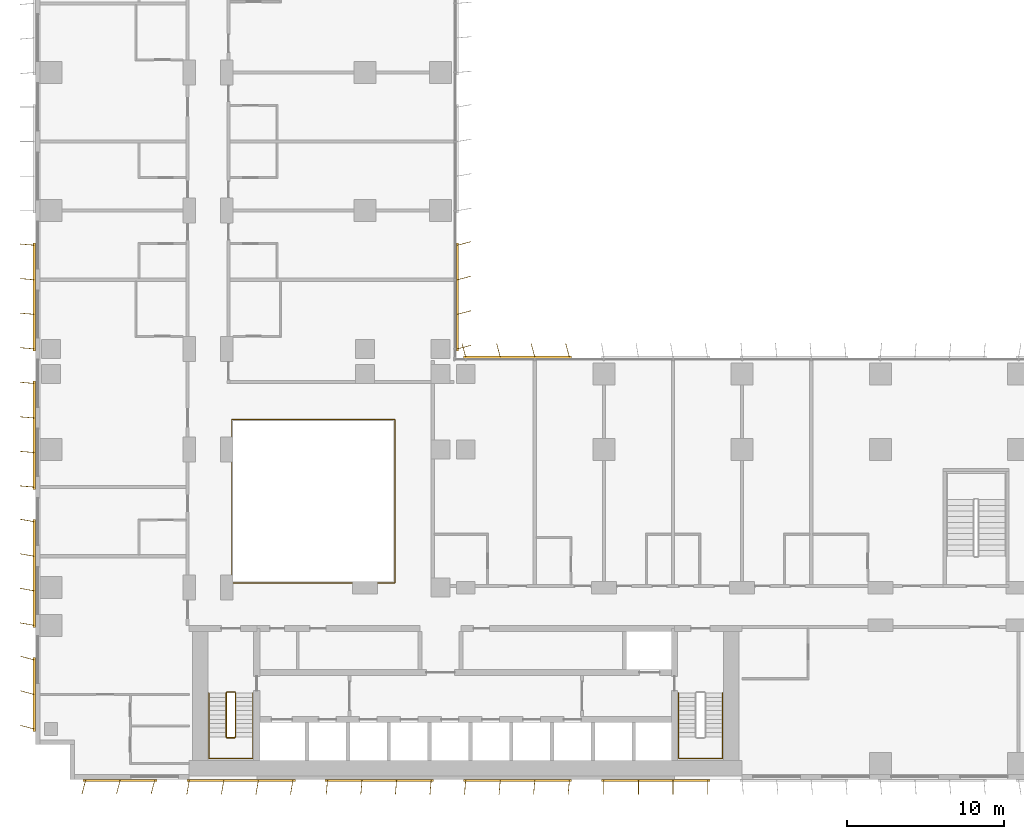
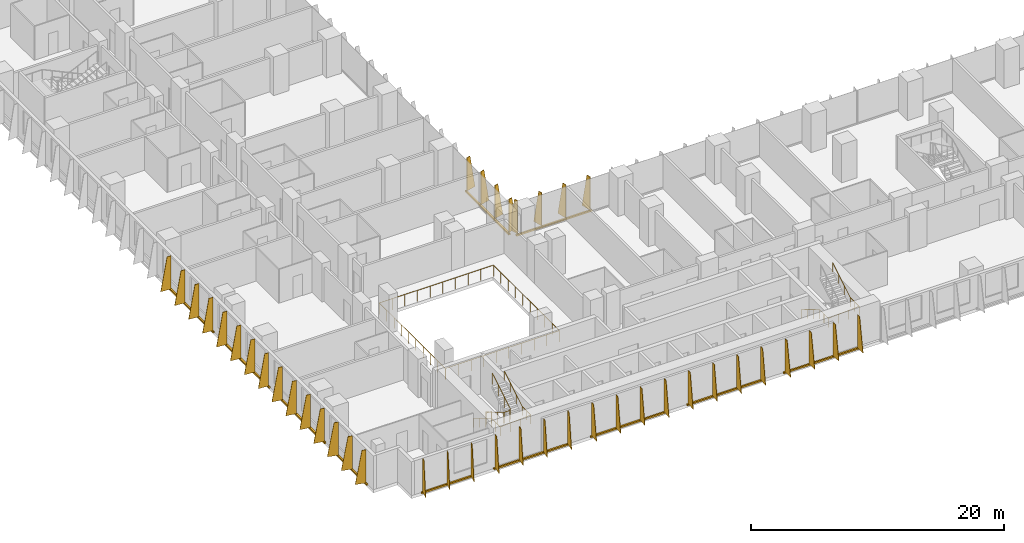
# One storey, part 20 of 23: 11 shading devices, 4 railings.
"""IFC4 building model written with IfcOpenShell, lengths in metres."""

from ifc_helpers import new_model, si_unit, direction, frame, origin, origin_2d, place, context, subcontext, project, spatial, polyline, rectangle, circle, outline, extrude, source, transform, mapped, material, layer, layer_set, type_object, element, save


model = new_model("IFC4")

# Units and contexts
model_context = context("Model", 3, precision=1e-05, world=origin(), true_north=direction((0.0, 1.0)))
body_context = subcontext(model_context, "Body", "Model", "MODEL_VIEW")
ifc_project = project(units=[si_unit("LENGTHUNIT", "METRE"), si_unit("AREAUNIT", "SQUARE_METRE"), si_unit("VOLUMEUNIT", "CUBIC_METRE"), si_unit("PLANEANGLEUNIT", "RADIAN"), si_unit("MASSUNIT", "GRAM", prefix="KILO")], contexts=[model_context])

# Site, building, storey
site_placement = place(None, origin())
site = spatial("IfcSite", under=ifc_project, at=site_placement, CompositionType="ELEMENT")
building_placement = place(site_placement, origin())
building = spatial("IfcBuilding", under=site, at=building_placement, Name="Kemantara Hotel Tower", CompositionType="ELEMENT")
storey_placement = place(building_placement, frame((0.0, 0.0, 67.300048828125)))
storey = spatial("IfcBuildingStorey", under=building, at=storey_placement, Name="L15", CompositionType="ELEMENT", Elevation=67.300048828125)

# Railings
ifc_material_1 = material(Name="Stainless steel and laminated glass balustrade", Category="steel")
railing_type_1 = type_object("IfcRailingType", Name="ATRIUM GUARD 1100", PredefinedType="GUARDRAIL", material=ifc_material_1)
railing_1_placement = place(storey_placement, frame((12.56005859375, 12.5, 0.0)))
element("IfcRailing", 1, at=railing_1_placement, inside=storey, type_object=railing_type_1, Name="ATRIUM GUARD L15", PredefinedType="GUARDRAIL", context=body_context, shape_type="SweptSolid", body=[
    extrude(circle(Radius=0.02490234375, at=origin_2d()), frame((0.0, 0.0, 1.0751953125), z_axis=(1.0, 0.0, 0.0), x_axis=(0.0, 1.0, 0.0)), (0.0, 0.0, 1.0), 10.33984375),
    extrude(circle(Radius=0.02490234375, at=origin_2d()), frame((10.33984375, 0.0, 1.0751953125), z_axis=(0.0, 1.0, 0.0), x_axis=(-1.0, 0.0, 0.0)), (0.0, 0.0, 1.0), 10.39990234375),
    extrude(circle(Radius=0.02490234375, at=origin_2d()), frame((10.33984375, 10.39990234375, 1.0751953125), z_axis=(-1.0, 0.0, 0.0), x_axis=(0.0, -1.0, 0.0)), (0.0, 0.0, 1.0), 10.39990234375),
    extrude(circle(Radius=0.02490234375, at=origin_2d()), frame((-0.06005859375, 10.39990234375, 1.0751953125), z_axis=(0.0, -1.0, 0.0), x_axis=(1.0, 0.0, 0.0)), (0.0, 0.0, 1.0), 10.39990234375),
    extrude(circle(Radius=0.02001953125, at=origin_2d()), origin(), (0.0, 0.0, 1.0), 1.050048828125),
    extrude(circle(Radius=0.02001953125, at=origin_2d()), frame((1.14892578125, 0.0, 0.0)), (0.0, 0.0, 1.0), 1.050048828125),
    extrude(circle(Radius=0.02001953125, at=origin_2d()), frame((2.2978515625, 0.0, 0.0)), (0.0, 0.0, 1.0), 1.050048828125),
    extrude(circle(Radius=0.02001953125, at=origin_2d()), frame((3.446533203125, 0.0, 0.0)), (0.0, 0.0, 1.0), 1.050048828125),
    extrude(circle(Radius=0.02001953125, at=origin_2d()), frame((4.595458984375, 0.0, 0.0)), (0.0, 0.0, 1.0), 1.050048828125),
    extrude(circle(Radius=0.02001953125, at=origin_2d()), frame((5.744384765625, 0.0, 0.0)), (0.0, 0.0, 1.0), 1.050048828125),
    extrude(circle(Radius=0.02001953125, at=origin_2d()), frame((6.893310546875, 0.0, 0.0)), (0.0, 0.0, 1.0), 1.050048828125),
    extrude(circle(Radius=0.02001953125, at=origin_2d()), frame((8.0419921875, 0.0, 0.0)), (0.0, 0.0, 1.0), 1.050048828125),
    extrude(circle(Radius=0.02001953125, at=origin_2d()), frame((9.19091796875, 0.0, 0.0)), (0.0, 0.0, 1.0), 1.050048828125),
    extrude(circle(Radius=0.02001953125, at=origin_2d()), frame((10.33984375, 0.0, 0.0)), (0.0, 0.0, 1.0), 1.050048828125),
    extrude(circle(Radius=0.02001953125, at=origin_2d()), frame((10.33984375, 1.155517578125, 0.0)), (0.0, 0.0, 1.0), 1.050048828125),
    extrude(circle(Radius=0.02001953125, at=origin_2d()), frame((10.33984375, 2.31103515625, 0.0)), (0.0, 0.0, 1.0), 1.050048828125),
    extrude(circle(Radius=0.02001953125, at=origin_2d()), frame((10.33984375, 3.466552734375, 0.0)), (0.0, 0.0, 1.0), 1.050048828125),
    extrude(circle(Radius=0.02001953125, at=origin_2d()), frame((10.33984375, 4.6220703125, 0.0)), (0.0, 0.0, 1.0), 1.050048828125),
    extrude(circle(Radius=0.02001953125, at=origin_2d()), frame((10.33984375, 5.77783203125, 0.0)), (0.0, 0.0, 1.0), 1.050048828125),
    extrude(circle(Radius=0.02001953125, at=origin_2d()), frame((10.33984375, 6.933349609375, 0.0)), (0.0, 0.0, 1.0), 1.050048828125),
    extrude(circle(Radius=0.02001953125, at=origin_2d()), frame((10.33984375, 8.0888671875, 0.0)), (0.0, 0.0, 1.0), 1.050048828125),
    extrude(circle(Radius=0.02001953125, at=origin_2d()), frame((10.33984375, 9.244384765625, 0.0)), (0.0, 0.0, 1.0), 1.050048828125),
    extrude(circle(Radius=0.02001953125, at=origin_2d()), frame((10.33984375, 10.39990234375, 0.0)), (0.0, 0.0, 1.0), 1.050048828125),
    extrude(circle(Radius=0.02001953125, at=origin_2d()), frame((9.184326171875, 10.39990234375, 0.0)), (0.0, 0.0, 1.0), 1.050048828125),
    extrude(circle(Radius=0.02001953125, at=origin_2d()), frame((8.02880859375, 10.39990234375, 0.0)), (0.0, 0.0, 1.0), 1.050048828125),
    extrude(circle(Radius=0.02001953125, at=origin_2d()), frame((6.873291015625, 10.39990234375, 0.0)), (0.0, 0.0, 1.0), 1.050048828125),
    extrude(circle(Radius=0.02001953125, at=origin_2d()), frame((5.7177734375, 10.39990234375, 0.0)), (0.0, 0.0, 1.0), 1.050048828125),
    extrude(circle(Radius=0.02001953125, at=origin_2d()), frame((4.56201171875, 10.39990234375, 0.0)), (0.0, 0.0, 1.0), 1.050048828125),
    extrude(circle(Radius=0.02001953125, at=origin_2d()), frame((3.406494140625, 10.39990234375, 0.0)), (0.0, 0.0, 1.0), 1.050048828125),
    extrude(circle(Radius=0.02001953125, at=origin_2d()), frame((2.2509765625, 10.39990234375, 0.0)), (0.0, 0.0, 1.0), 1.050048828125),
    extrude(circle(Radius=0.02001953125, at=origin_2d()), frame((1.095458984375, 10.39990234375, 0.0)), (0.0, 0.0, 1.0), 1.050048828125),
    extrude(circle(Radius=0.02001953125, at=origin_2d()), frame((-0.06005859375, 10.39990234375, 0.0)), (0.0, 0.0, 1.0), 1.050048828125),
    extrude(circle(Radius=0.02001953125, at=origin_2d()), frame((-0.06005859375, 9.244384765625, 0.0)), (0.0, 0.0, 1.0), 1.050048828125),
    extrude(circle(Radius=0.02001953125, at=origin_2d()), frame((-0.06005859375, 8.0888671875, 0.0)), (0.0, 0.0, 1.0), 1.050048828125),
    extrude(circle(Radius=0.02001953125, at=origin_2d()), frame((-0.06005859375, 6.933349609375, 0.0)), (0.0, 0.0, 1.0), 1.050048828125),
    extrude(circle(Radius=0.02001953125, at=origin_2d()), frame((-0.06005859375, 5.77783203125, 0.0)), (0.0, 0.0, 1.0), 1.050048828125),
    extrude(circle(Radius=0.02001953125, at=origin_2d()), frame((-0.06005859375, 4.6220703125, 0.0)), (0.0, 0.0, 1.0), 1.050048828125),
    extrude(circle(Radius=0.02001953125, at=origin_2d()), frame((-0.06005859375, 3.466552734375, 0.0)), (0.0, 0.0, 1.0), 1.050048828125),
    extrude(circle(Radius=0.02001953125, at=origin_2d()), frame((-0.06005859375, 2.31103515625, 0.0)), (0.0, 0.0, 1.0), 1.050048828125),
    extrude(circle(Radius=0.02001953125, at=origin_2d()), frame((-0.06005859375, 1.155517578125, 0.0)), (0.0, 0.0, 1.0), 1.050048828125),
    extrude(circle(Radius=0.02001953125, at=origin_2d()), frame((-0.06005859375, 0.0, 0.0)), (0.0, 0.0, 1.0), 1.050048828125),
])
ifc_material_2 = material(Name="Stainless steel balustrade", Category="steel")
railing_type_2 = type_object("IfcRailingType", Name="Stair guard 1100 mm", PredefinedType="GUARDRAIL", material=ifc_material_2)
railing_2_placement = place(storey_placement, frame((12.75, 5.5, 3.699951171875)))
element("IfcRailing", 2, at=railing_2_placement, inside=storey, type_object=railing_type_2, Name="L15 ST1 stair guard 1", PredefinedType="GUARDRAIL", context=body_context, shape_type="SweptSolid", body=[
    extrude(circle(Radius=0.02392578125, at=origin_2d()), frame((0.0, 0.0, 1.076171875), z_axis=(0.0, -0.857242210791, -0.514913383045), x_axis=(1.0, 0.0, 0.0)), (0.0, 0.0, 1.0), 3.266357421875),
    extrude(circle(Radius=0.02392578125, at=origin_2d()), frame((0.0, -2.800048828125, -0.60595703125), z_axis=(-0.274243871929, -0.274243871929, -0.92172696468), x_axis=(0.707106781187, -0.707106781187, 0.0)), (0.0, 0.0, 1.0), 0.1826171875),
    extrude(circle(Radius=0.02392578125, at=origin_2d()), frame((-0.050048828125, -2.85009765625, -0.77392578125), z_axis=(-1.0, 0.0, 0.0), x_axis=(0.0, -1.0, 0.0)), (0.0, 0.0, 1.0), 0.5),
    extrude(circle(Radius=0.02392578125, at=origin_2d()), frame((-0.550048828125, -2.85009765625, -0.77392578125), z_axis=(-0.707106781187, 0.707106781187, 0.0), x_axis=(-0.707106781187, -0.707106781187, 0.0)), (0.0, 0.0, 1.0), 0.07080078125),
    extrude(circle(Radius=0.02392578125, at=origin_2d()), frame((-0.60009765625, -2.800048828125, -0.77392578125), z_axis=(0.0, 0.857275202839, -0.514858452973), x_axis=(-1.0, 0.0, 0.0)), (0.0, 0.0, 1.0), 3.26611328125),
    extrude(circle(Radius=0.02392578125, at=origin_2d()), frame((-0.60009765625, 0.0, -2.45556640625), z_axis=(0.274243871929, 0.274243871929, -0.92172696468), x_axis=(-0.707106781187, 0.707106781187, 0.0)), (0.0, 0.0, 1.0), 0.1826171875),
    extrude(circle(Radius=0.02392578125, at=origin_2d()), frame((-0.550048828125, 0.050048828125, -2.6240234375), z_axis=(1.0, 0.0, 0.0), x_axis=(0.0, 1.0, 0.0)), (0.0, 0.0, 1.0), 0.5),
    extrude(circle(Radius=0.02099609375, at=origin_2d()), origin(), (0.0, 0.0, 1.0), 1.052001953125),
    extrude(circle(Radius=0.02099609375, at=origin_2d()), frame((0.0, -0.933349609375, -0.560546875)), (0.0, 0.0, 1.0), 1.052001953125),
    extrude(circle(Radius=0.02099609375, at=origin_2d()), frame((0.0, -1.86669921875, -1.121337890625)), (0.0, 0.0, 1.0), 1.052001953125),
    extrude(circle(Radius=0.02099609375, at=origin_2d()), frame((0.0, -2.800048828125, -1.681884765625)), (0.0, 0.0, 1.0), 1.052001953125),
    extrude(circle(Radius=0.02099609375, at=origin_2d()), frame((-0.050048828125, -2.85009765625, -1.85009765625)), (0.0, 0.0, 1.0), 1.052001953125),
    extrude(circle(Radius=0.02099609375, at=origin_2d()), frame((-0.550048828125, -2.85009765625, -1.85009765625)), (0.0, 0.0, 1.0), 1.052001953125),
    extrude(circle(Radius=0.02099609375, at=origin_2d()), frame((-0.60009765625, -2.800048828125, -1.85009765625)), (0.0, 0.0, 1.0), 1.052001953125),
    extrude(circle(Radius=0.02099609375, at=origin_2d()), frame((-0.60009765625, -1.86669921875, -2.41064453125)), (0.0, 0.0, 1.0), 1.052001953125),
    extrude(circle(Radius=0.02099609375, at=origin_2d()), frame((-0.60009765625, -0.933349609375, -2.97119140625)), (0.0, 0.0, 1.0), 1.052001953125),
    extrude(circle(Radius=0.02099609375, at=origin_2d()), frame((-0.60009765625, 0.0, -3.53173828125)), (0.0, 0.0, 1.0), 1.052001953125),
    extrude(circle(Radius=0.02099609375, at=origin_2d()), frame((-0.550048828125, 0.050048828125, -3.699951171875)), (0.0, 0.0, 1.0), 1.052001953125),
    extrude(circle(Radius=0.02099609375, at=origin_2d()), frame((-0.050048828125, 0.050048828125, -3.699951171875)), (0.0, 0.0, 1.0), 1.052001953125),
])
railing_type_3 = type_object("IfcRailingType", Name="Stair handrail 900 mm", PredefinedType="HANDRAIL", material=ifc_material_2)
railing_3_placement = place(storey_placement, frame((11.050048828125, 5.5, 0.168212890625)))
element("IfcRailing", 3, at=railing_3_placement, inside=storey, type_object=railing_type_3, Name="L15 ST1 stair handrail 1", PredefinedType="HANDRAIL", context=body_context, shape_type="SweptSolid", body=[
    extrude(circle(Radius=0.02392578125, at=origin_2d()), frame((0.0, 0.0, 0.8759765625), z_axis=(0.0, -0.857275202839, 0.514858452973), x_axis=(1.0, 0.0, 0.0)), (0.0, 0.0, 1.0), 3.26611328125),
    extrude(circle(Radius=0.02392578125, at=origin_2d()), frame((0.0, -2.800048828125, 2.5576171875), z_axis=(0.0, -1.0, 0.0), x_axis=(1.0, 0.0, 0.0)), (0.0, 0.0, 1.0), 1.3798828125),
    extrude(circle(Radius=0.02392578125, at=origin_2d()), frame((0.0, -4.179931640625, 2.5576171875), z_axis=(0.998200367801, 0.0, 0.059966871865), x_axis=(0.0, 1.0, 0.0)), (0.0, 0.0, 1.0), 2.80517578125),
    extrude(circle(Radius=0.02392578125, at=origin_2d()), frame((2.800048828125, -4.179931640625, 2.7255859375), z_axis=(0.0, 1.0, 0.0), x_axis=(-1.0, 0.0, 0.0)), (0.0, 0.0, 1.0), 1.3798828125),
    extrude(circle(Radius=0.02392578125, at=origin_2d()), frame((2.800048828125, -2.800048828125, 2.7255859375), z_axis=(0.0, 0.857242210791, 0.514913383045), x_axis=(-1.0, 0.0, 0.0)), (0.0, 0.0, 1.0), 3.266357421875),
    extrude(circle(Radius=0.02099609375, at=origin_2d()), origin(), (0.0, 0.0, 1.0), 0.851806640625),
    extrude(circle(Radius=0.02099609375, at=origin_2d()), frame((0.0, -0.933349609375, 0.560546875)), (0.0, 0.0, 1.0), 0.851806640625),
    extrude(circle(Radius=0.02099609375, at=origin_2d()), frame((0.0, -1.86669921875, 1.12109375)), (0.0, 0.0, 1.0), 0.851806640625),
    extrude(circle(Radius=0.02099609375, at=origin_2d()), frame((0.0, -2.800048828125, 1.681640625)), (0.0, 0.0, 1.0), 0.851806640625),
    extrude(circle(Radius=0.02099609375, at=origin_2d()), frame((0.0, -3.489990234375, 1.681640625)), (0.0, 0.0, 1.0), 0.851806640625),
    extrude(circle(Radius=0.02099609375, at=origin_2d()), frame((0.0, -4.179931640625, 1.681640625)), (0.0, 0.0, 1.0), 0.851806640625),
    extrude(circle(Radius=0.02099609375, at=origin_2d()), frame((0.933349609375, -4.179931640625, 1.73779296875)), (0.0, 0.0, 1.0), 0.851806640625),
    extrude(circle(Radius=0.02099609375, at=origin_2d()), frame((1.86669921875, -4.179931640625, 1.793701171875)), (0.0, 0.0, 1.0), 0.851806640625),
    extrude(circle(Radius=0.02099609375, at=origin_2d()), frame((2.800048828125, -4.179931640625, 1.849853515625)), (0.0, 0.0, 1.0), 0.851806640625),
    extrude(circle(Radius=0.02099609375, at=origin_2d()), frame((2.800048828125, -3.489990234375, 1.849853515625)), (0.0, 0.0, 1.0), 0.851806640625),
    extrude(circle(Radius=0.02099609375, at=origin_2d()), frame((2.800048828125, -2.800048828125, 1.849853515625)), (0.0, 0.0, 1.0), 0.851806640625),
    extrude(circle(Radius=0.02099609375, at=origin_2d()), frame((2.800048828125, -1.86669921875, 2.410400390625)), (0.0, 0.0, 1.0), 0.851806640625),
    extrude(circle(Radius=0.02099609375, at=origin_2d()), frame((2.800048828125, -0.933349609375, 2.97119140625)), (0.0, 0.0, 1.0), 0.851806640625),
    extrude(circle(Radius=0.02099609375, at=origin_2d()), frame((2.800048828125, 0.0, 3.53173828125)), (0.0, 0.0, 1.0), 0.851806640625),
])
railing_4_placement = place(storey_placement, frame((40.949951171875, 5.5, 0.168212890625)))
element("IfcRailing", 4, at=railing_4_placement, inside=storey, type_object=railing_type_3, Name="L15 ST2 stair handrail 1", PredefinedType="HANDRAIL", context=body_context, shape_type="SweptSolid", body=[
    extrude(circle(Radius=0.02392578125, at=origin_2d()), frame((0.0, 0.0, 0.8759765625), z_axis=(0.0, -0.857275202839, 0.514858452973), x_axis=(1.0, 0.0, 0.0)), (0.0, 0.0, 1.0), 3.26611328125),
    extrude(circle(Radius=0.02392578125, at=origin_2d()), frame((0.0, -2.800048828125, 2.5576171875), z_axis=(0.0, -1.0, 0.0), x_axis=(1.0, 0.0, 0.0)), (0.0, 0.0, 1.0), 1.3798828125),
    extrude(circle(Radius=0.02392578125, at=origin_2d()), frame((0.0, -4.179931640625, 2.5576171875), z_axis=(0.998200367801, 0.0, 0.059966871865), x_axis=(0.0, 1.0, 0.0)), (0.0, 0.0, 1.0), 2.80517578125),
    extrude(circle(Radius=0.02392578125, at=origin_2d()), frame((2.800048828125, -4.179931640625, 2.7255859375), z_axis=(0.0, 1.0, 0.0), x_axis=(-1.0, 0.0, 0.0)), (0.0, 0.0, 1.0), 1.3798828125),
    extrude(circle(Radius=0.02392578125, at=origin_2d()), frame((2.800048828125, -2.800048828125, 2.7255859375), z_axis=(0.0, 0.857242210791, 0.514913383045), x_axis=(-1.0, 0.0, 0.0)), (0.0, 0.0, 1.0), 3.266357421875),
    extrude(circle(Radius=0.02099609375, at=origin_2d()), origin(), (0.0, 0.0, 1.0), 0.851806640625),
    extrude(circle(Radius=0.02099609375, at=origin_2d()), frame((0.0, -0.933349609375, 0.560546875)), (0.0, 0.0, 1.0), 0.851806640625),
    extrude(circle(Radius=0.02099609375, at=origin_2d()), frame((0.0, -1.86669921875, 1.12109375)), (0.0, 0.0, 1.0), 0.851806640625),
    extrude(circle(Radius=0.02099609375, at=origin_2d()), frame((0.0, -2.800048828125, 1.681640625)), (0.0, 0.0, 1.0), 0.851806640625),
    extrude(circle(Radius=0.02099609375, at=origin_2d()), frame((0.0, -3.489990234375, 1.681640625)), (0.0, 0.0, 1.0), 0.851806640625),
    extrude(circle(Radius=0.02099609375, at=origin_2d()), frame((0.0, -4.179931640625, 1.681640625)), (0.0, 0.0, 1.0), 0.851806640625),
    extrude(circle(Radius=0.02099609375, at=origin_2d()), frame((0.933349609375, -4.179931640625, 1.73779296875)), (0.0, 0.0, 1.0), 0.851806640625),
    extrude(circle(Radius=0.02099609375, at=origin_2d()), frame((1.86669921875, -4.179931640625, 1.793701171875)), (0.0, 0.0, 1.0), 0.851806640625),
    extrude(circle(Radius=0.02099609375, at=origin_2d()), frame((2.800048828125, -4.179931640625, 1.849853515625)), (0.0, 0.0, 1.0), 0.851806640625),
    extrude(circle(Radius=0.02099609375, at=origin_2d()), frame((2.800048828125, -3.489990234375, 1.849853515625)), (0.0, 0.0, 1.0), 0.851806640625),
    extrude(circle(Radius=0.02099609375, at=origin_2d()), frame((2.800048828125, -2.800048828125, 1.849853515625)), (0.0, 0.0, 1.0), 0.851806640625),
    extrude(circle(Radius=0.02099609375, at=origin_2d()), frame((2.800048828125, -1.86669921875, 2.410400390625)), (0.0, 0.0, 1.0), 0.851806640625),
    extrude(circle(Radius=0.02099609375, at=origin_2d()), frame((2.800048828125, -0.933349609375, 2.97119140625)), (0.0, 0.0, 1.0), 0.851806640625),
    extrude(circle(Radius=0.02099609375, at=origin_2d()), frame((2.800048828125, 0.0, 3.53173828125)), (0.0, 0.0, 1.0), 0.851806640625),
])

# Shading devices
ifc_material_3 = material(Name="Perforated aluminium plate 4 mm bronze anodised", Category="aluminium")
ifc_layer_1 = layer(ifc_material_3, 0.0400390625)
ifc_layer_set_1 = layer_set([ifc_layer_1], Name="Perforated aluminium plate 4 mm bronze anodised")
shading_device_type_1 = type_object("IfcShadingDeviceType", Name="SCREEN FIN CASSETTE, 3 BLADES AT -15.0 DEG, 3200 HIGH", PredefinedType="USERDEFINED", material=ifc_layer_set_1)
shared_shape_1 = source(origin(), body_context, "Body", "SweptSolid", [
    extrude(rectangle(XDim=4.699951171875, YDim=0.14990234375, at=origin_2d()), frame((2.199951171875, -0.074951171875, -0.14990234375), z_axis=(0.0, 0.0, 1.0), x_axis=(1.0, 0.0, 0.0)), (0.0, 0.0, 1.0), 0.14990234375),
    extrude(outline(polyline([(0.0, 0.0), (0.89990234375, 0.0), (0.35009765625, 3.199951171875), (0.0, 3.199951171875), (0.0, 0.0)])), frame((0.019287109375, -0.080078125, 0.0), z_axis=(-0.966437683387, 0.256901156343, 0.0), x_axis=(-0.256901156343, -0.966437683387, 0.0)), (0.0, 0.0, 1.0), 0.039794921875),
    extrude(outline(polyline([(0.0, 0.0), (0.89990234375, 0.0), (0.35009765625, 3.199951171875), (0.0, 3.199951171875), (0.0, 0.0)])), frame((2.21923828125, -0.080078125, 0.0), z_axis=(-0.966437683387, 0.256901156343, 0.0), x_axis=(-0.256901156343, -0.966437683387, 0.0)), (0.0, 0.0, 1.0), 0.039794921875),
    extrude(outline(polyline([(0.0, 0.0), (0.89990234375, 0.0), (0.35009765625, 3.199951171875), (0.0, 3.199951171875), (0.0, 0.0)])), frame((4.41943359375, -0.080078125, 0.0), z_axis=(-0.966837822169, 0.255391122837, 0.0), x_axis=(-0.255391122837, -0.966837822169, 0.0)), (0.0, 0.0, 1.0), 0.0400390625),
])
for number, where, z_axis, x_axis, name in (
    (5, (3.199951171875, 0.0, 0.099853515625), (0.0, 0.0, 1.0), (1.0, 0.0, 0.0), "SCREEN FIN CASSETTE L15 T1-R01-1"),
    (6, (0.0, 7.60009765625, 0.099853515625), (0.0, 0.0, 1.0), (0.0, -1.0, 0.0), "SCREEN FIN CASSETTE L15 T1-R14-9"),
):
    element("IfcShadingDevice", number, at=place(storey_placement, frame(where, z_axis=z_axis, x_axis=x_axis)), inside=storey, type_object=shading_device_type_1, Name=name, ObjectType="SCREEN FIN", PredefinedType="USERDEFINED", context=body_context, shape_type="MappedRepresentation", body=[
        mapped(shared_shape_1, transform((0.0, 0.0, 0.0))),
    ])
ifc_layer_2 = layer(ifc_material_3, 0.0400390625)
ifc_layer_set_2 = layer_set([ifc_layer_2], Name="Perforated aluminium plate 4 mm bronze anodised")
shading_device_type_2 = type_object("IfcShadingDeviceType", Name="SCREEN FIN CASSETTE, 4 BLADES AT -10.0 DEG, 3200 HIGH", PredefinedType="USERDEFINED", material=ifc_layer_set_2)
shared_shape_2 = source(origin(), body_context, "Body", "SweptSolid", [
    extrude(rectangle(XDim=6.89990234375, YDim=0.14990234375, at=origin_2d()), frame((3.300048828125, -0.074951171875, -0.14990234375), z_axis=(0.0, 0.0, 1.0), x_axis=(1.0, 0.0, 0.0)), (0.0, 0.0, 1.0), 0.14990234375),
    extrude(outline(polyline([(0.0, 0.0), (0.89990234375, 0.0), (0.35009765625, 3.199951171875), (0.0, 3.199951171875), (0.0, 0.0)])), frame((0.019775390625, -0.078369140625, 0.0), z_axis=(-0.985389793052, 0.170314285219, 0.0), x_axis=(-0.170314285219, -0.985389793052, 0.0)), (0.0, 0.0, 1.0), 0.0400390625),
    extrude(outline(polyline([(0.0, 0.0), (0.89990234375, 0.0), (0.35009765625, 3.199951171875), (0.0, 3.199951171875), (0.0, 0.0)])), frame((2.2197265625, -0.078369140625, 0.0), z_axis=(-0.98521175482, 0.171341174751, 0.0), x_axis=(-0.171341174751, -0.98521175482, 0.0)), (0.0, 0.0, 1.0), 0.039794921875),
    extrude(outline(polyline([(0.0, 0.0), (0.89990234375, 0.0), (0.35009765625, 3.199951171875), (0.0, 3.199951171875), (0.0, 0.0)])), frame((4.419677734375, -0.078369140625, 0.0), z_axis=(-0.98521175482, 0.171341174751, 0.0), x_axis=(-0.171341174751, -0.98521175482, 0.0)), (0.0, 0.0, 1.0), 0.039794921875),
    extrude(outline(polyline([(0.0, 0.0), (0.89990234375, 0.0), (0.35009765625, 3.199951171875), (0.0, 3.199951171875), (0.0, 0.0)])), frame((6.61962890625, -0.078369140625, 0.0), z_axis=(-0.98521175482, 0.171341174751, 0.0), x_axis=(-0.171341174751, -0.98521175482, 0.0)), (0.0, 0.0, 1.0), 0.039794921875),
])
for number, where, z_axis, x_axis, name in (
    (7, (9.800048828125, 0.0, 0.099853515625), (0.0, 0.0, 1.0), (1.0, 0.0, 0.0), "SCREEN FIN CASSETTE L15 T1-R01-2"),
    (8, (0.0, 16.39990234375, 0.099853515625), (0.0, 0.0, 1.0), (0.0, -1.0, 0.0), "SCREEN FIN CASSETTE L15 T1-R14-8"),
):
    element("IfcShadingDevice", number, at=place(storey_placement, frame(where, z_axis=z_axis, x_axis=x_axis)), inside=storey, type_object=shading_device_type_2, Name=name, ObjectType="SCREEN FIN", PredefinedType="USERDEFINED", context=body_context, shape_type="MappedRepresentation", body=[
        mapped(shared_shape_2, transform((0.0, 0.0, 0.0))),
    ])
ifc_layer_3 = layer(ifc_material_3, 0.0400390625)
ifc_layer_set_3 = layer_set([ifc_layer_3], Name="Perforated aluminium plate 4 mm bronze anodised")
shading_device_type_3 = type_object("IfcShadingDeviceType", Name="SCREEN FIN CASSETTE, 4 BLADES AT -5.0 DEG, 3200 HIGH", PredefinedType="USERDEFINED", material=ifc_layer_set_3)
shared_shape_3 = source(origin(), body_context, "Body", "SweptSolid", [
    extrude(rectangle(XDim=6.89990234375, YDim=0.14990234375, at=origin_2d()), frame((3.300048828125, -0.074951171875, -0.14990234375), z_axis=(0.0, 0.0, 1.0), x_axis=(1.0, 0.0, 0.0)), (0.0, 0.0, 1.0), 0.14990234375),
    extrude(outline(polyline([(0.0, 0.0), (0.89990234375, 0.0), (0.35009765625, 3.199951171875), (0.0, 3.199951171875), (0.0, 0.0)])), frame((0.02001953125, -0.07666015625, 0.0), z_axis=(-0.996376129781, 0.085056498884, 0.0), x_axis=(-0.085056498884, -0.996376129781, 0.0)), (0.0, 0.0, 1.0), 0.040283203125),
    extrude(outline(polyline([(0.0, 0.0), (0.89990234375, 0.0), (0.35009765625, 3.199951171875), (0.0, 3.199951171875), (0.0, 0.0)])), frame((2.219970703125, -0.07666015625, 0.0), z_axis=(-0.996331773833, 0.085574508182, 0.0), x_axis=(-0.085574508182, -0.996331773833, 0.0)), (0.0, 0.0, 1.0), 0.0400390625),
    extrude(outline(polyline([(0.0, 0.0), (0.89990234375, 0.0), (0.35009765625, 3.199951171875), (0.0, 3.199951171875), (0.0, 0.0)])), frame((4.419921875, -0.07666015625, 0.0), z_axis=(-0.996331773833, 0.085574508182, 0.0), x_axis=(-0.085574508182, -0.996331773833, 0.0)), (0.0, 0.0, 1.0), 0.0400390625),
    extrude(outline(polyline([(0.0, 0.0), (0.89990234375, 0.0), (0.35009765625, 3.199951171875), (0.0, 3.199951171875), (0.0, 0.0)])), frame((6.619873046875, -0.07666015625, 0.0), z_axis=(-0.996331773833, 0.085574508182, 0.0), x_axis=(-0.085574508182, -0.996331773833, 0.0)), (0.0, 0.0, 1.0), 0.0400390625),
])
for number, where, z_axis, x_axis, name in (
    (9, (18.60009765625, 0.0, 0.099853515625), (0.0, 0.0, 1.0), (1.0, 0.0, 0.0), "SCREEN FIN CASSETTE L15 T1-R01-3"),
    (10, (27.39990234375, 0.0, 0.099853515625), (0.0, 0.0, 1.0), (1.0, 0.0, 0.0), "SCREEN FIN CASSETTE L15 T1-R01-4"),
    (11, (0.0, 34.0, 0.099853515625), (0.0, 0.0, 1.0), (0.0, -1.0, 0.0), "SCREEN FIN CASSETTE L15 T1-R14-6"),
    (12, (0.0, 25.199951171875, 0.099853515625), (0.0, 0.0, 1.0), (0.0, -1.0, 0.0), "SCREEN FIN CASSETTE L15 T1-R14-7"),
):
    element("IfcShadingDevice", number, at=place(storey_placement, frame(where, z_axis=z_axis, x_axis=x_axis)), inside=storey, type_object=shading_device_type_3, Name=name, ObjectType="SCREEN FIN", PredefinedType="USERDEFINED", context=body_context, shape_type="MappedRepresentation", body=[
        mapped(shared_shape_3, transform((0.0, 0.0, 0.0))),
    ])
ifc_layer_4 = layer(ifc_material_3, 0.0400390625)
ifc_layer_set_4 = layer_set([ifc_layer_4], Name="Perforated aluminium plate 4 mm bronze anodised")
shading_device_type_4 = type_object("IfcShadingDeviceType", Name="SCREEN FIN CASSETTE, 4 BLADES AT +0.0 DEG, 3200 HIGH", PredefinedType="USERDEFINED", material=ifc_layer_set_4)
shared_shape_4 = source(origin(), body_context, "Body", "SweptSolid", [
    extrude(rectangle(XDim=6.89990234375, YDim=0.14990234375, at=origin_2d()), frame((3.300048828125, -0.074951171875, -0.14990234375), z_axis=(0.0, 0.0, 1.0), x_axis=(1.0, 0.0, 0.0)), (0.0, 0.0, 1.0), 0.14990234375),
    extrude(outline(polyline([(0.0, 0.0), (0.89990234375, 0.0), (0.35009765625, 3.199951171875), (0.0, 3.199951171875), (0.0, 0.0)])), frame((0.02001953125, -0.074951171875, 0.0), z_axis=(-1.0, 0.0, 0.0), x_axis=(0.0, -1.0, 0.0)), (0.0, 0.0, 1.0), 0.0400390625),
    extrude(outline(polyline([(0.0, 0.0), (0.89990234375, 0.0), (0.35009765625, 3.199951171875), (0.0, 3.199951171875), (0.0, 0.0)])), frame((2.219970703125, -0.074951171875, 0.0), z_axis=(-1.0, 0.0, 0.0), x_axis=(0.0, -1.0, 0.0)), (0.0, 0.0, 1.0), 0.0400390625),
    extrude(outline(polyline([(0.0, 0.0), (0.89990234375, 0.0), (0.35009765625, 3.199951171875), (0.0, 3.199951171875), (0.0, 0.0)])), frame((4.419921875, -0.074951171875, 0.0), z_axis=(-1.0, 0.0, 0.0), x_axis=(0.0, -1.0, 0.0)), (0.0, 0.0, 1.0), 0.0400390625),
    extrude(outline(polyline([(0.0, 0.0), (0.89990234375, 0.0), (0.35009765625, 3.199951171875), (0.0, 3.199951171875), (0.0, 0.0)])), frame((6.6201171875, -0.074951171875, 0.0), z_axis=(-1.0, 0.0, 0.0), x_axis=(0.0, -1.0, 0.0)), (0.0, 0.0, 1.0), 0.0400390625),
])
shading_device_placement = place(storey_placement, frame((36.199951171875, 0.0, 0.099853515625), z_axis=(0.0, 0.0, 1.0), x_axis=(1.0, 0.0, 0.0)))
element("IfcShadingDevice", 13, at=shading_device_placement, inside=storey, type_object=shading_device_type_4, Name="SCREEN FIN CASSETTE L15 T1-R01-5", ObjectType="SCREEN FIN", PredefinedType="USERDEFINED", context=body_context, shape_type="MappedRepresentation", body=[
    mapped(shared_shape_4, transform((0.0, 0.0, 0.0))),
])
ifc_layer_5 = layer(ifc_material_3, 0.0400390625)
ifc_layer_set_5 = layer_set([ifc_layer_5], Name="Perforated aluminium plate 4 mm bronze anodised")
shading_device_type_5 = type_object("IfcShadingDeviceType", Name="SCREEN FIN CASSETTE, 4 BLADES AT +15.0 DEG, 3200 HIGH", PredefinedType="USERDEFINED", material=ifc_layer_set_5)
shared_shape_5 = source(origin(), body_context, "Body", "SweptSolid", [
    extrude(rectangle(XDim=6.89990234375, YDim=0.14990234375, at=origin_2d()), frame((3.300048828125, -0.074951171875, -0.14990234375), z_axis=(0.0, 0.0, 1.0), x_axis=(1.0, 0.0, 0.0)), (0.0, 0.0, 1.0), 0.14990234375),
    extrude(outline(polyline([(0.0, 0.0), (0.89990234375, 0.0), (0.35009765625, 3.199951171875), (0.0, 3.199951171875), (0.0, 0.0)])), frame((0.019287109375, -0.06982421875, 0.0), z_axis=(-0.966437683387, -0.256901156343, 0.0), x_axis=(0.256901156343, -0.966437683387, 0.0)), (0.0, 0.0, 1.0), 0.039794921875),
    extrude(outline(polyline([(0.0, 0.0), (0.89990234375, 0.0), (0.35009765625, 3.199951171875), (0.0, 3.199951171875), (0.0, 0.0)])), frame((2.21923828125, -0.06982421875, 0.0), z_axis=(-0.966437683387, -0.256901156343, 0.0), x_axis=(0.256901156343, -0.966437683387, 0.0)), (0.0, 0.0, 1.0), 0.039794921875),
    extrude(outline(polyline([(0.0, 0.0), (0.89990234375, 0.0), (0.35009765625, 3.199951171875), (0.0, 3.199951171875), (0.0, 0.0)])), frame((4.41943359375, -0.06982421875, 0.0), z_axis=(-0.966837822169, -0.255391122837, 0.0), x_axis=(0.255391122837, -0.966837822169, 0.0)), (0.0, 0.0, 1.0), 0.0400390625),
    extrude(outline(polyline([(0.0, 0.0), (0.89990234375, 0.0), (0.35009765625, 3.199951171875), (0.0, 3.199951171875), (0.0, 0.0)])), frame((6.619384765625, -0.06982421875, 0.0), z_axis=(-0.966837822169, -0.255391122837, 0.0), x_axis=(0.255391122837, -0.966837822169, 0.0)), (0.0, 0.0, 1.0), 0.0400390625),
])
for number, where, z_axis, x_axis, name in (
    (14, (34.0, 26.800048828125, 0.099853515625), (0.0, 0.0, 1.0), (-1.0, 0.0, 0.0), "SCREEN FIN CASSETTE L15 T1-R07-6"),
    (15, (26.800048828125, 27.39990234375, 0.099853515625), (0.0, 0.0, 1.0), (0.0, 1.0, 0.0), "SCREEN FIN CASSETTE L15 T1-R08-1"),
):
    element("IfcShadingDevice", number, at=place(storey_placement, frame(where, z_axis=z_axis, x_axis=x_axis)), inside=storey, type_object=shading_device_type_5, Name=name, ObjectType="SCREEN FIN", PredefinedType="USERDEFINED", context=body_context, shape_type="MappedRepresentation", body=[
        mapped(shared_shape_5, transform((0.0, 0.0, 0.0))),
    ])

save(model, "model.ifc")
